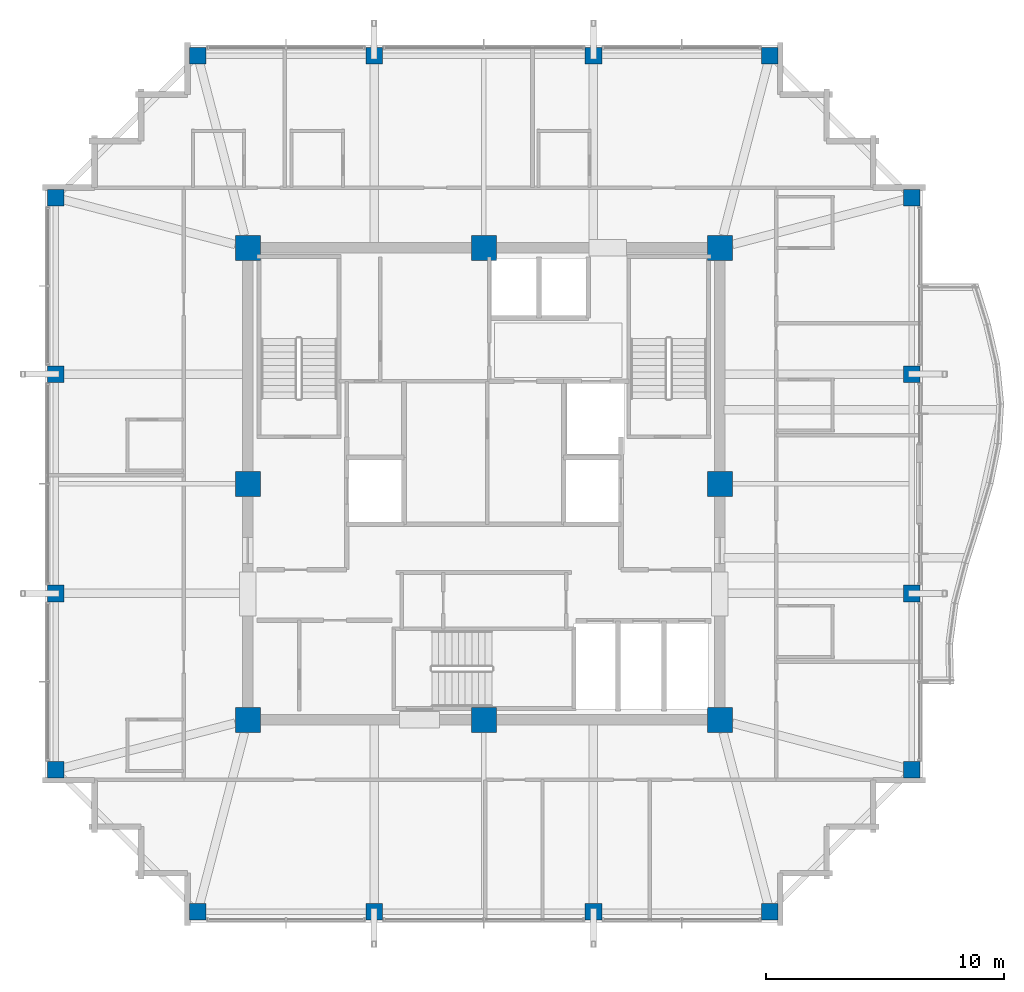
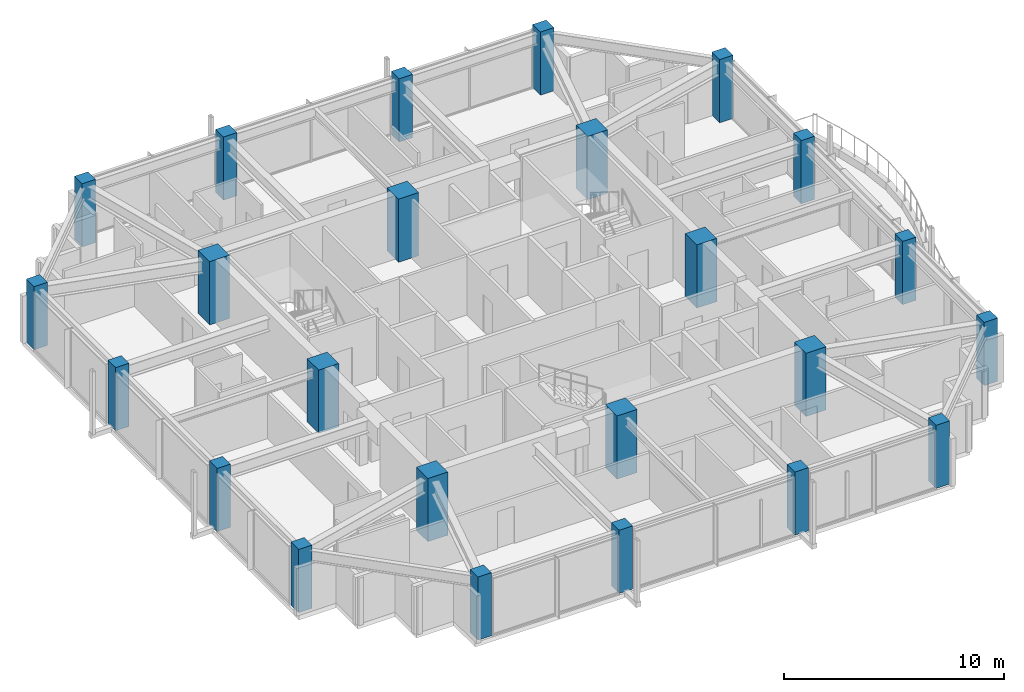
# One storey, part 1 of 29: 24 columns.
"""IFC4 building model written with IfcOpenShell, lengths in metres."""

from ifc_helpers import new_model, si_unit, direction, frame, origin, origin_2d, place, context, subcontext, project, spatial, rectangle, extrude, material, material_profile, profile_set, type_object, element, save


model = new_model("IFC4")

# Units and contexts
model_context = context("Model", 3, precision=1e-05, world=origin(), true_north=direction((0.0, 1.0)))
body_context = subcontext(model_context, "Body", "Model", "MODEL_VIEW")
ifc_project = project(units=[si_unit("LENGTHUNIT", "METRE"), si_unit("AREAUNIT", "SQUARE_METRE"), si_unit("VOLUMEUNIT", "CUBIC_METRE"), si_unit("PLANEANGLEUNIT", "RADIAN"), si_unit("MASSUNIT", "GRAM", prefix="KILO")], contexts=[model_context])

# Site, building, storey
site_placement = place(None, origin())
site = spatial("IfcSite", under=ifc_project, at=site_placement, CompositionType="ELEMENT")
building_placement = place(site_placement, origin())
building = spatial("IfcBuilding", under=site, at=building_placement, Name="Kolvaren Belvedere", CompositionType="ELEMENT")
storey_placement = place(building_placement, frame((0.0, 0.0, 244.39990234375)))
storey = spatial("IfcBuildingStorey", under=building, at=storey_placement, Name="L71", CompositionType="ELEMENT", Elevation=244.39990234375)

# Columns
ifc_material_1 = material(Name="Concrete C50/60", Category="concrete")
ifc_material_profile_1 = material_profile(ifc_material_1, rectangle(XDim=1.050048828125, YDim=1.050048828125, at=origin_2d()), Name="RC 1050X1050")
ifc_profile_set_1 = profile_set([ifc_material_profile_1], Name="Concrete C50/60")
column_type_1 = type_object("IfcColumnType", Name="COL-RC-1050", PredefinedType="COLUMN", material=ifc_profile_set_1)
for number, where, z_axis, x_axis, name in (
    (1, (-9.89990234375, -9.89990234375, 0.0), (0.0, 0.0, 1.0), (1.0, 0.0, 0.0), "L71 Core Column CC1"),
    (2, (9.89990234375, -9.89990234375, 0.0), (0.0, 0.0, 1.0), (1.0, 0.0, 0.0), "L71 Core Column CC2"),
    (3, (9.89990234375, 9.89990234375, 0.0), (0.0, 0.0, 1.0), (1.0, 0.0, 0.0), "L71 Core Column CC3"),
    (4, (-9.89990234375, 9.89990234375, 0.0), (0.0, 0.0, 1.0), (1.0, 0.0, 0.0), "L71 Core Column CC4"),
    (5, (0.0, -9.89990234375, 0.0), (0.0, 0.0, 1.0), (1.0, 0.0, 0.0), "L71 Core Column CM1"),
    (6, (9.89990234375, 0.0, 0.0), (0.0, 0.0, 1.0), (1.0, 0.0, 0.0), "L71 Core Column CM2"),
    (7, (0.0, 9.89990234375, 0.0), (0.0, 0.0, 1.0), (1.0, 0.0, 0.0), "L71 Core Column CM3"),
    (8, (-9.89990234375, 0.0, 0.0), (0.0, 0.0, 1.0), (1.0, 0.0, 0.0), "L71 Core Column CM4"),
):
    element("IfcColumn", number, at=place(storey_placement, frame(where, z_axis=z_axis, x_axis=x_axis)), inside=storey, type_object=column_type_1, Name=name, PredefinedType="COLUMN", context=body_context, shape_type="SweptSolid", body=[
        extrude(rectangle(XDim=1.050048828125, YDim=1.050048828125, at=origin_2d()), origin(), (0.0, 0.0, 1.0), 3.5),
    ])
ifc_material_2 = material(Name="Concrete C50/60", Category="concrete")
ifc_material_profile_2 = material_profile(ifc_material_2, rectangle(XDim=0.699951171875, YDim=0.699951171875, at=origin_2d()), Name="RC 700X700")
ifc_profile_set_2 = profile_set([ifc_material_profile_2], Name="Concrete C50/60")
column_type_2 = type_object("IfcColumnType", Name="COL-RC-700", PredefinedType="COLUMN", material=ifc_profile_set_2)
for number, where, z_axis, x_axis, name in (
    (9, (-12.0, -17.949951171875, 0.0), (0.0, 0.0, 1.0), (1.0, 0.0, 0.0), "L71 Perimeter Column S1"),
    (10, (-4.60009765625, -17.949951171875, 0.0), (0.0, 0.0, 1.0), (1.0, 0.0, 0.0), "L71 Perimeter Column S2"),
    (11, (4.60009765625, -17.949951171875, 0.0), (0.0, 0.0, 1.0), (1.0, 0.0, 0.0), "L71 Perimeter Column S3"),
    (12, (12.0, -17.949951171875, 0.0), (0.0, 0.0, 1.0), (1.0, 0.0, 0.0), "L71 Perimeter Column S4"),
    (13, (-12.0, 17.949951171875, 0.0), (0.0, 0.0, 1.0), (1.0, 0.0, 0.0), "L71 Perimeter Column N1"),
    (14, (-4.60009765625, 17.949951171875, 0.0), (0.0, 0.0, 1.0), (1.0, 0.0, 0.0), "L71 Perimeter Column N2"),
    (15, (4.60009765625, 17.949951171875, 0.0), (0.0, 0.0, 1.0), (1.0, 0.0, 0.0), "L71 Perimeter Column N3"),
    (16, (12.0, 17.949951171875, 0.0), (0.0, 0.0, 1.0), (1.0, 0.0, 0.0), "L71 Perimeter Column N4"),
    (17, (-17.949951171875, -12.0, 0.0), (0.0, 0.0, 1.0), (1.0, 0.0, 0.0), "L71 Perimeter Column W1"),
    (18, (-17.949951171875, -4.60009765625, 0.0), (0.0, 0.0, 1.0), (1.0, 0.0, 0.0), "L71 Perimeter Column W2"),
    (19, (-17.949951171875, 4.60009765625, 0.0), (0.0, 0.0, 1.0), (1.0, 0.0, 0.0), "L71 Perimeter Column W3"),
    (20, (-17.949951171875, 12.0, 0.0), (0.0, 0.0, 1.0), (1.0, 0.0, 0.0), "L71 Perimeter Column W4"),
    (21, (17.949951171875, -12.0, 0.0), (0.0, 0.0, 1.0), (1.0, 0.0, 0.0), "L71 Perimeter Column E1"),
    (22, (17.949951171875, -4.60009765625, 0.0), (0.0, 0.0, 1.0), (1.0, 0.0, 0.0), "L71 Perimeter Column E2"),
    (23, (17.949951171875, 4.60009765625, 0.0), (0.0, 0.0, 1.0), (1.0, 0.0, 0.0), "L71 Perimeter Column E3"),
    (24, (17.949951171875, 12.0, 0.0), (0.0, 0.0, 1.0), (1.0, 0.0, 0.0), "L71 Perimeter Column E4"),
):
    element("IfcColumn", number, at=place(storey_placement, frame(where, z_axis=z_axis, x_axis=x_axis)), inside=storey, type_object=column_type_2, Name=name, PredefinedType="COLUMN", context=body_context, shape_type="SweptSolid", body=[
        extrude(rectangle(XDim=0.699951171875, YDim=0.699951171875, at=origin_2d()), origin(), (0.0, 0.0, 1.0), 3.5),
    ])

save(model, "model.ifc")
